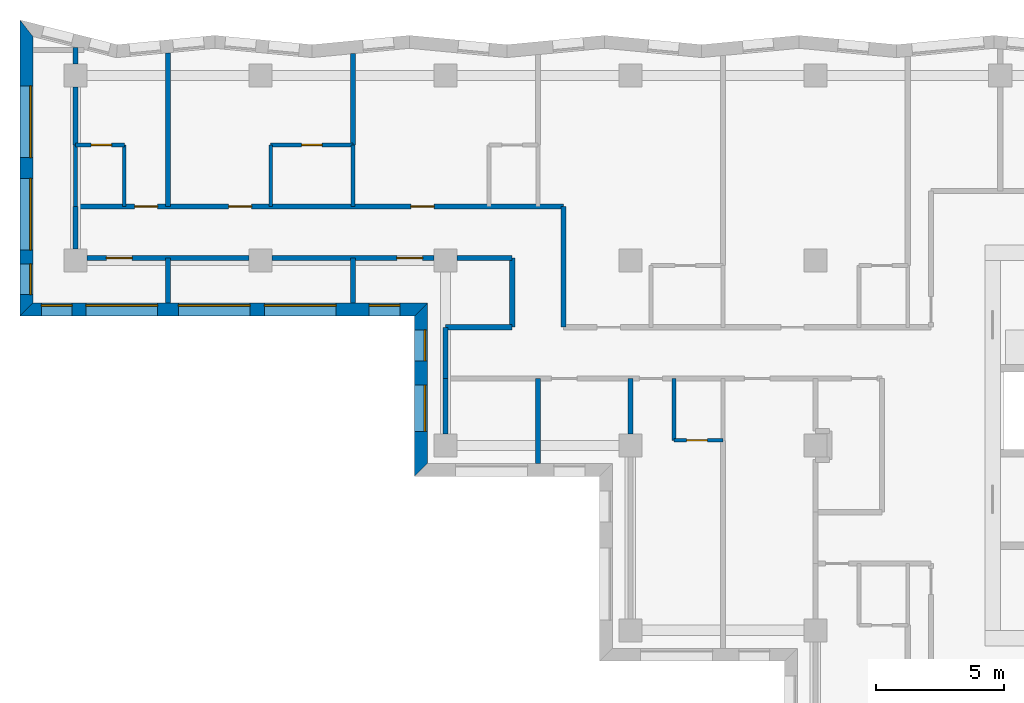
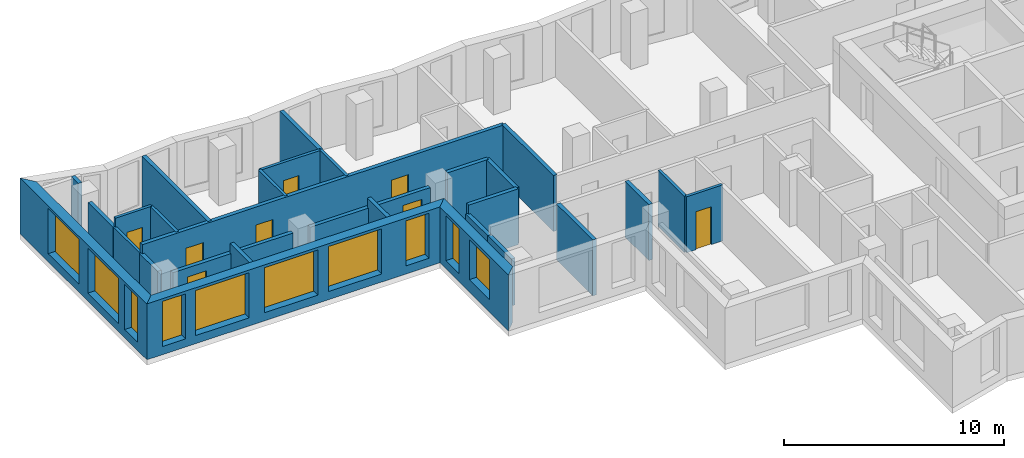
# One storey, part 4 of 12: 29 walls, 10 windows, 8 doors, 18 openings.
"""IFC4 building model written with IfcOpenShell, lengths in metres."""

from ifc_helpers import new_model, si_unit, direction, frame, frame_2d, origin, place, context, subcontext, project, spatial, polyline, rectangle, outline, extrude, material, layer, layer_set, type_object, element, fill, save


model = new_model("IFC4")

# Units and contexts
model_context = context("Model", 3, precision=1e-05, world=origin(), true_north=direction((0.0, 1.0)))
body_context = subcontext(model_context, "Body", "Model", "MODEL_VIEW")
ifc_project = project(units=[si_unit("LENGTHUNIT", "METRE"), si_unit("AREAUNIT", "SQUARE_METRE"), si_unit("VOLUMEUNIT", "CUBIC_METRE"), si_unit("PLANEANGLEUNIT", "RADIAN"), si_unit("MASSUNIT", "GRAM", prefix="KILO")], contexts=[model_context])

# Site, building, storey
site_placement = place(None, origin())
site = spatial("IfcSite", under=ifc_project, at=site_placement, CompositionType="ELEMENT")
building_placement = place(site_placement, origin())
building = spatial("IfcBuilding", under=site, at=building_placement, Name="Windrow Commons", CompositionType="ELEMENT")
storey_placement = place(building_placement, frame((0.0, 0.0, 142.2)))
storey = spatial("IfcBuildingStorey", under=building, at=storey_placement, Name="L38", CompositionType="ELEMENT", Elevation=142.2)

# Wall, openings, windows
ifc_material_1 = material(Name="Brick masonry, red clay brick", Category="masonry")
ifc_layer_1 = layer(ifc_material_1, 0.5)
ifc_layer_set_1 = layer_set([ifc_layer_1], Name="Brick facade wall 500")
wall_type_1 = type_object("IfcWallType", Name="Brick facade wall 500", PredefinedType="SOLIDWALL", material=ifc_layer_set_1)
wall_1_placement = place(storey_placement, frame((19.689, 73.8397, 0.0), z_axis=(0.0, 0.0, 1.0), x_axis=(0.0, -1.0, 0.0)))
wall_1 = element("IfcWall", 1, at=wall_1_placement, inside=storey, type_object=wall_type_1, Name="Brick facade wall L38 35", PredefinedType="SOLIDWALL", context=body_context, shape_type="SweptSolid", body=[
    extrude(outline(polyline([(-0.3213, -0.25), (11.2007, -0.25), (10.7007, 0.25), (0.3213, 0.25), (-0.3213, -0.25)])), origin(), (0.0, 0.0, 1.0), 3.1),
])
opening_1_placement = place(wall_1_placement, frame((2.2397, 0.0, 0.45)))
opening_1 = element("IfcOpeningElement", 2, at=opening_1_placement, cuts=wall_1, Name="Opening W1U", PredefinedType="OPENING", context=body_context, shape_type="SweptSolid", body=[
    extrude(rectangle(XDim=2.8, YDim=2.5, at=frame_2d((1.4, 1.25))), frame((0.0, 0.26, 0.0), z_axis=(0.0, -1.0, 0.0), x_axis=(1.0, 0.0, 0.0)), (0.0, 0.0, 1.0), 0.52),
])
opening_2_placement = place(wall_1_placement, frame((5.8397, 0.0, 0.45)))
opening_2 = element("IfcOpeningElement", 3, at=opening_2_placement, cuts=wall_1, Name="Opening W1U", PredefinedType="OPENING", context=body_context, shape_type="SweptSolid", body=[
    extrude(rectangle(XDim=2.8, YDim=2.5, at=frame_2d((1.4, 1.25))), frame((0.0, 0.26, 0.0), z_axis=(0.0, -1.0, 0.0), x_axis=(1.0, 0.0, 0.0)), (0.0, 0.0, 1.0), 0.52),
])
opening_3_placement = place(wall_1_placement, frame((9.1702, 0.0, 0.45)))
opening_3 = element("IfcOpeningElement", 4, at=opening_3_placement, cuts=wall_1, Name="Opening W7E", PredefinedType="OPENING", context=body_context, shape_type="SweptSolid", body=[
    extrude(rectangle(XDim=1.2, YDim=2.5, at=frame_2d((0.6, 1.25))), frame((0.0, 0.26, 0.0), z_axis=(0.0, -1.0, 0.0), x_axis=(1.0, 0.0, 0.0)), (0.0, 0.0, 1.0), 0.52),
])
ifc_material_2 = material(Name="Clear float glass in anodised aluminium frame", Category="aluminium")
window_type_1 = type_object("IfcWindowType", Name="Window W1U bedroom 2800x2500", PartitioningType="SINGLE_PANEL", PredefinedType="WINDOW", material=ifc_material_2)
window_1_placement = place(opening_1_placement, origin())
window_1 = element("IfcWindow", 5, at=window_1_placement, inside=storey, type_object=window_type_1, Name="Window L38 35.1", OverallHeight=2.5, OverallWidth=2.8, PartitioningType="SINGLE_PANEL", PredefinedType="WINDOW", context=body_context, shape_type="SweptSolid", body=[
    extrude(rectangle(XDim=2.8, YDim=2.5, at=frame_2d((1.4, 1.25))), frame((0.0, 0.18, 0.0), z_axis=(0.0, -1.0, 0.0), x_axis=(1.0, 0.0, 0.0)), (0.0, 0.0, 1.0), 0.06),
])
fill(opening_1, window_1)
window_2_placement = place(opening_2_placement, origin())
window_2 = element("IfcWindow", 6, at=window_2_placement, inside=storey, type_object=window_type_1, Name="Window L38 35.2", OverallHeight=2.5, OverallWidth=2.8, PartitioningType="SINGLE_PANEL", PredefinedType="WINDOW", context=body_context, shape_type="SweptSolid", body=[
    extrude(rectangle(XDim=2.8, YDim=2.5, at=frame_2d((1.4, 1.25))), frame((0.0, 0.18, 0.0), z_axis=(0.0, -1.0, 0.0), x_axis=(1.0, 0.0, 0.0)), (0.0, 0.0, 1.0), 0.06),
])
fill(opening_2, window_2)
ifc_material_3 = material(Name="Clear float glass in anodised aluminium frame", Category="aluminium")
window_type_2 = type_object("IfcWindowType", Name="Window W7 notch 1200x2500", PartitioningType="SINGLE_PANEL", PredefinedType="WINDOW", material=ifc_material_3)
window_3_placement = place(opening_3_placement, origin())
window_3 = element("IfcWindow", 7, at=window_3_placement, inside=storey, type_object=window_type_2, Name="Window L38 35.3", OverallHeight=2.5, OverallWidth=1.2, PartitioningType="SINGLE_PANEL", PredefinedType="WINDOW", context=body_context, shape_type="SweptSolid", body=[
    extrude(rectangle(XDim=1.2, YDim=2.5, at=frame_2d((0.6, 1.25))), frame((0.0, 0.18, 0.0), z_axis=(0.0, -1.0, 0.0), x_axis=(1.0, 0.0, 0.0)), (0.0, 0.0, 1.0), 0.06),
])
fill(opening_3, window_3)

wall_2_placement = place(storey_placement, frame((19.689, 62.889, 0.0), z_axis=(0.0, 0.0, 1.0), x_axis=(1.0, 0.0, 0.0)))
wall_2 = element("IfcWall", 8, at=wall_2_placement, inside=storey, type_object=wall_type_1, Name="Brick facade wall L38 36", PredefinedType="SOLIDWALL", context=body_context, shape_type="SweptSolid", body=[
    extrude(outline(polyline([(-0.25, -0.25), (15.111, -0.25), (15.611, 0.25), (0.25, 0.25), (-0.25, -0.25)])), origin(), (0.0, 0.0, 1.0), 3.1),
])
opening_4_placement = place(wall_2_placement, frame((2.311, 0.0, 0.45)))
opening_4 = element("IfcOpeningElement", 9, at=opening_4_placement, cuts=wall_2, Name="Opening W1U", PredefinedType="OPENING", context=body_context, shape_type="SweptSolid", body=[
    extrude(rectangle(XDim=2.8, YDim=2.5, at=frame_2d((1.4, 1.25))), frame((0.0, 0.26, 0.0), z_axis=(0.0, -1.0, 0.0), x_axis=(1.0, 0.0, 0.0)), (0.0, 0.0, 1.0), 0.52),
])
opening_5_placement = place(wall_2_placement, frame((5.911, 0.0, 0.45)))
opening_5 = element("IfcOpeningElement", 10, at=opening_5_placement, cuts=wall_2, Name="Opening W1U", PredefinedType="OPENING", context=body_context, shape_type="SweptSolid", body=[
    extrude(rectangle(XDim=2.8, YDim=2.5, at=frame_2d((1.4, 1.25))), frame((0.0, 0.26, 0.0), z_axis=(0.0, -1.0, 0.0), x_axis=(1.0, 0.0, 0.0)), (0.0, 0.0, 1.0), 0.52),
])
opening_6_placement = place(wall_2_placement, frame((9.261, 0.0, 0.45)))
opening_6 = element("IfcOpeningElement", 11, at=opening_6_placement, cuts=wall_2, Name="Opening W1U", PredefinedType="OPENING", context=body_context, shape_type="SweptSolid", body=[
    extrude(rectangle(XDim=2.8, YDim=2.5, at=frame_2d((1.4, 1.25))), frame((0.0, 0.26, 0.0), z_axis=(0.0, -1.0, 0.0), x_axis=(1.0, 0.0, 0.0)), (0.0, 0.0, 1.0), 0.52),
])
opening_7_placement = place(wall_2_placement, frame((0.5805, 0.0, 0.45)))
opening_7 = element("IfcOpeningElement", 12, at=opening_7_placement, cuts=wall_2, Name="Opening W7E", PredefinedType="OPENING", context=body_context, shape_type="SweptSolid", body=[
    extrude(rectangle(XDim=1.2, YDim=2.5, at=frame_2d((0.6, 1.25))), frame((0.0, 0.26, 0.0), z_axis=(0.0, -1.0, 0.0), x_axis=(1.0, 0.0, 0.0)), (0.0, 0.0, 1.0), 0.52),
])
opening_8_placement = place(wall_2_placement, frame((13.336, 0.0, 0.45)))
opening_8 = element("IfcOpeningElement", 13, at=opening_8_placement, cuts=wall_2, Name="Opening W7E", PredefinedType="OPENING", context=body_context, shape_type="SweptSolid", body=[
    extrude(rectangle(XDim=1.2, YDim=2.5, at=frame_2d((0.6, 1.25))), frame((0.0, 0.26, 0.0), z_axis=(0.0, -1.0, 0.0), x_axis=(1.0, 0.0, 0.0)), (0.0, 0.0, 1.0), 0.52),
])
window_4_placement = place(opening_4_placement, origin())
window_4 = element("IfcWindow", 14, at=window_4_placement, inside=storey, type_object=window_type_1, Name="Window L38 36.1", OverallHeight=2.5, OverallWidth=2.8, PartitioningType="SINGLE_PANEL", PredefinedType="WINDOW", context=body_context, shape_type="SweptSolid", body=[
    extrude(rectangle(XDim=2.8, YDim=2.5, at=frame_2d((1.4, 1.25))), frame((0.0, 0.18, 0.0), z_axis=(0.0, -1.0, 0.0), x_axis=(1.0, 0.0, 0.0)), (0.0, 0.0, 1.0), 0.06),
])
fill(opening_4, window_4)
window_5_placement = place(opening_5_placement, origin())
window_5 = element("IfcWindow", 15, at=window_5_placement, inside=storey, type_object=window_type_1, Name="Window L38 36.2", OverallHeight=2.5, OverallWidth=2.8, PartitioningType="SINGLE_PANEL", PredefinedType="WINDOW", context=body_context, shape_type="SweptSolid", body=[
    extrude(rectangle(XDim=2.8, YDim=2.5, at=frame_2d((1.4, 1.25))), frame((0.0, 0.18, 0.0), z_axis=(0.0, -1.0, 0.0), x_axis=(1.0, 0.0, 0.0)), (0.0, 0.0, 1.0), 0.06),
])
fill(opening_5, window_5)
window_6_placement = place(opening_6_placement, origin())
window_6 = element("IfcWindow", 16, at=window_6_placement, inside=storey, type_object=window_type_1, Name="Window L38 36.3", OverallHeight=2.5, OverallWidth=2.8, PartitioningType="SINGLE_PANEL", PredefinedType="WINDOW", context=body_context, shape_type="SweptSolid", body=[
    extrude(rectangle(XDim=2.8, YDim=2.5, at=frame_2d((1.4, 1.25))), frame((0.0, 0.18, 0.0), z_axis=(0.0, -1.0, 0.0), x_axis=(1.0, 0.0, 0.0)), (0.0, 0.0, 1.0), 0.06),
])
fill(opening_6, window_6)
window_7_placement = place(opening_7_placement, origin())
window_7 = element("IfcWindow", 17, at=window_7_placement, inside=storey, type_object=window_type_2, Name="Window L38 36.4", OverallHeight=2.5, OverallWidth=1.2, PartitioningType="SINGLE_PANEL", PredefinedType="WINDOW", context=body_context, shape_type="SweptSolid", body=[
    extrude(rectangle(XDim=1.2, YDim=2.5, at=frame_2d((0.6, 1.25))), frame((0.0, 0.18, 0.0), z_axis=(0.0, -1.0, 0.0), x_axis=(1.0, 0.0, 0.0)), (0.0, 0.0, 1.0), 0.06),
])
fill(opening_7, window_7)
window_8_placement = place(opening_8_placement, origin())
window_8 = element("IfcWindow", 18, at=window_8_placement, inside=storey, type_object=window_type_2, Name="Window L38 36.5", OverallHeight=2.5, OverallWidth=1.2, PartitioningType="SINGLE_PANEL", PredefinedType="WINDOW", context=body_context, shape_type="SweptSolid", body=[
    extrude(rectangle(XDim=1.2, YDim=2.5, at=frame_2d((0.6, 1.25))), frame((0.0, 0.18, 0.0), z_axis=(0.0, -1.0, 0.0), x_axis=(1.0, 0.0, 0.0)), (0.0, 0.0, 1.0), 0.06),
])
fill(opening_8, window_8)

wall_3_placement = place(storey_placement, frame((35.05, 62.889, 0.0), z_axis=(0.0, 0.0, 1.0), x_axis=(0.0, -1.0, 0.0)))
wall_3 = element("IfcWall", 19, at=wall_3_placement, inside=storey, type_object=wall_type_1, Name="Brick facade wall L38 37", PredefinedType="SOLIDWALL", context=body_context, shape_type="SweptSolid", body=[
    extrude(outline(polyline([(0.25, -0.25), (6.489, -0.25), (5.989, 0.25), (-0.25, 0.25), (0.25, -0.25)])), origin(), (0.0, 0.0, 1.0), 3.1),
])
opening_9_placement = place(wall_3_placement, frame((0.7945, 0.0, 0.45)))
opening_9 = element("IfcOpeningElement", 20, at=opening_9_placement, cuts=wall_3, Name="Opening W7E", PredefinedType="OPENING", context=body_context, shape_type="SweptSolid", body=[
    extrude(rectangle(XDim=1.2, YDim=2.5, at=frame_2d((0.6, 1.25))), frame((0.0, 0.26, 0.0), z_axis=(0.0, -1.0, 0.0), x_axis=(1.0, 0.0, 0.0)), (0.0, 0.0, 1.0), 0.52),
])
opening_10_placement = place(wall_3_placement, frame((2.939, 0.0, 0.7)))
opening_10 = element("IfcOpeningElement", 21, at=opening_10_placement, cuts=wall_3, Name="Opening W6", PredefinedType="OPENING", context=body_context, shape_type="SweptSolid", body=[
    extrude(rectangle(XDim=1.8, YDim=2.2, at=frame_2d((0.9, 1.1))), frame((0.0, 0.26, 0.0), z_axis=(0.0, -1.0, 0.0), x_axis=(1.0, 0.0, 0.0)), (0.0, 0.0, 1.0), 0.52),
])
ifc_material_4 = material(Name="Clear float glass in anodised aluminium frame", Category="aluminium")
window_type_3 = type_object("IfcWindowType", Name="Window W6 crown 1800x2200", PartitioningType="SINGLE_PANEL", PredefinedType="WINDOW", material=ifc_material_4)
window_9_placement = place(opening_10_placement, origin())
window_9 = element("IfcWindow", 22, at=window_9_placement, inside=storey, type_object=window_type_3, Name="Window L38 37.1A", OverallHeight=2.2, OverallWidth=1.8, PartitioningType="SINGLE_PANEL", PredefinedType="WINDOW", context=body_context, shape_type="SweptSolid", body=[
    extrude(rectangle(XDim=1.8, YDim=2.2, at=frame_2d((0.9, 1.1))), frame((0.0, 0.18, 0.0), z_axis=(0.0, -1.0, 0.0), x_axis=(1.0, 0.0, 0.0)), (0.0, 0.0, 1.0), 0.06),
])
fill(opening_10, window_9)
window_10_placement = place(opening_9_placement, origin())
window_10 = element("IfcWindow", 23, at=window_10_placement, inside=storey, type_object=window_type_2, Name="Window L38 37.2", OverallHeight=2.5, OverallWidth=1.2, PartitioningType="SINGLE_PANEL", PredefinedType="WINDOW", context=body_context, shape_type="SweptSolid", body=[
    extrude(rectangle(XDim=1.2, YDim=2.5, at=frame_2d((0.6, 1.25))), frame((0.0, 0.18, 0.0), z_axis=(0.0, -1.0, 0.0), x_axis=(1.0, 0.0, 0.0)), (0.0, 0.0, 1.0), 0.06),
])
fill(opening_9, window_10)

# Wall, openings, doors
ifc_material_5 = material(Name="Blockwork partition", Category="masonry")
ifc_layer_2 = layer(ifc_material_5, 0.2)
ifc_layer_set_2 = layer_set([ifc_layer_2], Name="IW-CORRIDOR-200")
wall_type_2 = type_object("IfcWallType", Name="IW-CORRIDOR-200", PredefinedType="PARTITIONING", material=ifc_layer_set_2)
wall_4_placement = place(storey_placement, frame((21.6, 66.9, 0.0), z_axis=(0.0, 0.0, 1.0), x_axis=(1.0, 0.0, 0.0)))
wall_4 = element("IfcWall", 24, at=wall_4_placement, inside=storey, type_object=wall_type_2, Name="W-L38-W002", PredefinedType="PARTITIONING", context=body_context, shape_type="SweptSolid", body=[
    extrude(rectangle(XDim=19.0, YDim=0.2, at=frame_2d((9.5, 0.0))), origin(), (0.0, 0.0, 1.0), 3.1),
])
opening_11_placement = place(wall_4_placement, frame((2.3, 0.0, 0.0)))
opening_11 = element("IfcOpeningElement", 25, at=opening_11_placement, cuts=wall_4, Name="Opening D109S", PredefinedType="OPENING", context=body_context, shape_type="SweptSolid", body=[
    extrude(rectangle(XDim=0.9, YDim=2.1, at=frame_2d((0.45, 1.05))), frame((0.0, 0.11, 0.0), z_axis=(0.0, -1.0, 0.0), x_axis=(1.0, 0.0, 0.0)), (0.0, 0.0, 1.0), 0.22),
])
opening_12_placement = place(wall_4_placement, frame((5.957, 0.0, 0.0)))
opening_12 = element("IfcOpeningElement", 26, at=opening_12_placement, cuts=wall_4, Name="Opening D109F", PredefinedType="OPENING", context=body_context, shape_type="SweptSolid", body=[
    extrude(rectangle(XDim=0.9, YDim=2.1, at=frame_2d((0.45, 1.05))), frame((0.0, 0.11, 0.0), z_axis=(0.0, -1.0, 0.0), x_axis=(1.0, 0.0, 0.0)), (0.0, 0.0, 1.0), 0.22),
])
opening_13_placement = place(wall_4_placement, frame((13.0566, 0.0, 0.0)))
opening_13 = element("IfcOpeningElement", 27, at=opening_13_placement, cuts=wall_4, Name="Opening D109F", PredefinedType="OPENING", context=body_context, shape_type="SweptSolid", body=[
    extrude(rectangle(XDim=0.9, YDim=2.1, at=frame_2d((0.45, 1.05))), frame((0.0, 0.11, 0.0), z_axis=(0.0, -1.0, 0.0), x_axis=(1.0, 0.0, 0.0)), (0.0, 0.0, 1.0), 0.22),
])
ifc_material_6 = material(Name="Timber door leaf", Category="wood")
door_type_1 = type_object("IfcDoorType", Name="DT-BEDROOM-900", OperationType="SINGLE_SWING_LEFT", PredefinedType="DOOR", material=ifc_material_6)
door_1_placement = place(opening_11_placement, origin())
door_1 = element("IfcDoor", 28, at=door_1_placement, inside=storey, type_object=door_type_1, Name="D-L38-D003", OperationType="SINGLE_SWING_RIGHT", OverallHeight=2.1, OverallWidth=0.9, PredefinedType="DOOR", context=body_context, shape_type="SweptSolid", body=[
    extrude(rectangle(XDim=0.9, YDim=2.1, at=frame_2d((0.45, 1.05))), frame((0.0, 0.025, 0.0), z_axis=(0.0, -1.0, 0.0), x_axis=(1.0, 0.0, 0.0)), (0.0, 0.0, 1.0), 0.05),
])
fill(opening_11, door_1)
door_2_placement = place(opening_12_placement, origin())
door_2 = element("IfcDoor", 29, at=door_2_placement, inside=storey, type_object=door_type_1, Name="D-L38-D005", OperationType="SINGLE_SWING_LEFT", OverallHeight=2.1, OverallWidth=0.9, PredefinedType="DOOR", context=body_context, shape_type="SweptSolid", body=[
    extrude(rectangle(XDim=0.9, YDim=2.1, at=frame_2d((0.45, 1.05))), frame((0.0, 0.025, 0.0), z_axis=(0.0, -1.0, 0.0), x_axis=(1.0, 0.0, 0.0)), (0.0, 0.0, 1.0), 0.05),
])
fill(opening_12, door_2)
door_3_placement = place(opening_13_placement, origin())
door_3 = element("IfcDoor", 30, at=door_3_placement, inside=storey, type_object=door_type_1, Name="D-L38-D007", OperationType="SINGLE_SWING_LEFT", OverallHeight=2.1, OverallWidth=0.9, PredefinedType="DOOR", context=body_context, shape_type="SweptSolid", body=[
    extrude(rectangle(XDim=0.9, YDim=2.1, at=frame_2d((0.45, 1.05))), frame((0.0, 0.025, 0.0), z_axis=(0.0, -1.0, 0.0), x_axis=(1.0, 0.0, 0.0)), (0.0, 0.0, 1.0), 0.05),
])
fill(opening_13, door_3)

# Wall, opening, door
wall_5_placement = place(storey_placement, frame((22.05, 64.9, 0.0), z_axis=(0.0, 0.0, 1.0), x_axis=(1.0, 0.0, 0.0)))
wall_5 = element("IfcWall", 31, at=wall_5_placement, inside=storey, type_object=wall_type_2, Name="W-L38-W021", PredefinedType="PARTITIONING", context=body_context, shape_type="SweptSolid", body=[
    extrude(rectangle(XDim=6.3, YDim=0.2, at=frame_2d((3.15, 0.0))), origin(), (0.0, 0.0, 1.0), 2.6),
])
opening_14_placement = place(wall_5_placement, frame((0.7533, 0.0, 0.0)))
opening_14 = element("IfcOpeningElement", 32, at=opening_14_placement, cuts=wall_5, Name="Opening D310F", PredefinedType="OPENING", context=body_context, shape_type="SweptSolid", body=[
    extrude(rectangle(XDim=1.0, YDim=2.1, at=frame_2d((0.5, 1.05))), frame((0.0, 0.11, 0.0), z_axis=(0.0, -1.0, 0.0), x_axis=(1.0, 0.0, 0.0)), (0.0, 0.0, 1.0), 0.22),
])
ifc_material_7 = material(Name="Timber door leaf", Category="wood")
door_type_2 = type_object("IfcDoorType", Name="DT-AMENITY-1000", OperationType="SINGLE_SWING_LEFT", PredefinedType="DOOR", material=ifc_material_7)
door_4_placement = place(opening_14_placement, origin())
door_4 = element("IfcDoor", 33, at=door_4_placement, inside=storey, type_object=door_type_2, Name="D-L38-D002", OperationType="SINGLE_SWING_RIGHT", OverallHeight=2.1, OverallWidth=1.0, PredefinedType="DOOR", context=body_context, shape_type="SweptSolid", body=[
    extrude(rectangle(XDim=1.0, YDim=2.1, at=frame_2d((0.5, 1.05))), frame((0.0, 0.025, 0.0), z_axis=(0.0, -1.0, 0.0), x_axis=(1.0, 0.0, 0.0)), (0.0, 0.0, 1.0), 0.05),
])
fill(opening_14, door_4)

wall_6_placement = place(storey_placement, frame((29.25, 64.9, 0.0), z_axis=(0.0, 0.0, 1.0), x_axis=(1.0, 0.0, 0.0)))
wall_6 = element("IfcWall", 34, at=wall_6_placement, inside=storey, type_object=wall_type_2, Name="W-L38-W022", PredefinedType="PARTITIONING", context=body_context, shape_type="SweptSolid", body=[
    extrude(rectangle(XDim=6.3, YDim=0.2, at=frame_2d((3.15, 0.0))), origin(), (0.0, 0.0, 1.0), 2.6),
])
opening_15_placement = place(wall_6_placement, frame((4.8599, 0.0, 0.0)))
opening_15 = element("IfcOpeningElement", 35, at=opening_15_placement, cuts=wall_6, Name="Opening D310F", PredefinedType="OPENING", context=body_context, shape_type="SweptSolid", body=[
    extrude(rectangle(XDim=1.0, YDim=2.1, at=frame_2d((0.5, 1.05))), frame((0.0, 0.11, 0.0), z_axis=(0.0, -1.0, 0.0), x_axis=(1.0, 0.0, 0.0)), (0.0, 0.0, 1.0), 0.22),
])
door_5_placement = place(opening_15_placement, origin())
door_5 = element("IfcDoor", 36, at=door_5_placement, inside=storey, type_object=door_type_2, Name="D-L38-D010", OperationType="SINGLE_SWING_RIGHT", OverallHeight=2.1, OverallWidth=1.0, PredefinedType="DOOR", context=body_context, shape_type="SweptSolid", body=[
    extrude(rectangle(XDim=1.0, YDim=2.1, at=frame_2d((0.5, 1.05))), frame((0.0, 0.025, 0.0), z_axis=(0.0, -1.0, 0.0), x_axis=(1.0, 0.0, 0.0)), (0.0, 0.0, 1.0), 0.05),
])
fill(opening_15, door_5)

# Walls
wall_7_placement = place(storey_placement, frame((40.6, 62.202, 0.0), z_axis=(0.0, 0.0, 1.0), x_axis=(0.0, 1.0, 0.0)))
element("IfcWall", 37, at=wall_7_placement, inside=storey, type_object=wall_type_2, Name="W-L38-W037", PredefinedType="PARTITIONING", context=body_context, shape_type="SweptSolid", body=[
    extrude(rectangle(XDim=4.696, YDim=0.2, at=frame_2d((2.348, 0.0))), origin(), (0.0, 0.0, 1.0), 3.1),
])
wall_8_placement = place(storey_placement, frame((38.6, 62.202, 0.0), z_axis=(0.0, 0.0, 1.0), x_axis=(0.0, 1.0, 0.0)))
element("IfcWall", 38, at=wall_8_placement, inside=storey, type_object=wall_type_2, Name="W-L38-W056", PredefinedType="PARTITIONING", context=body_context, shape_type="SweptSolid", body=[
    extrude(rectangle(XDim=2.698, YDim=0.2, at=frame_2d((1.349, 0.0))), origin(), (0.0, 0.0, 1.0), 3.1),
])
wall_9_placement = place(storey_placement, frame((36.002, 62.2, 0.0), z_axis=(0.0, 0.0, 1.0), x_axis=(1.0, 0.0, 0.0)))
element("IfcWall", 39, at=wall_9_placement, inside=storey, type_object=wall_type_2, Name="W-L38-W060", PredefinedType="PARTITIONING", context=body_context, shape_type="SweptSolid", body=[
    extrude(rectangle(XDim=2.598, YDim=0.2, at=frame_2d((1.299, 0.0))), origin(), (0.0, 0.0, 1.0), 3.1),
])
wall_10_placement = place(storey_placement, frame((36.45, 64.9, 0.0), z_axis=(0.0, 0.0, 1.0), x_axis=(1.0, 0.0, 0.0)))
element("IfcWall", 40, at=wall_10_placement, inside=storey, type_object=wall_type_2, Name="W-L38-W099", PredefinedType="PARTITIONING", context=body_context, shape_type="SweptSolid", body=[
    extrude(rectangle(XDim=2.15, YDim=0.2, at=frame_2d((1.075, 0.0))), origin(), (0.0, 0.0, 1.0), 3.1),
])
wall_11_placement = place(storey_placement, frame((36.0, 60.2, 0.0), z_axis=(0.0, 0.0, 1.0), x_axis=(0.0, 1.0, 0.0)))
element("IfcWall", 41, at=wall_11_placement, inside=storey, type_object=wall_type_2, Name="W-L38-W109", PredefinedType="PARTITIONING", context=body_context, shape_type="SweptSolid", body=[
    extrude(rectangle(XDim=2.0, YDim=0.2, at=frame_2d((1.0, 0.0))), origin(), (0.0, 0.0, 1.0), 2.6),
])
wall_12_placement = place(storey_placement, frame((21.6, 65.25, 0.0), z_axis=(0.0, 0.0, 1.0), x_axis=(0.0, 1.0, 0.0)))
element("IfcWall", 42, at=wall_12_placement, inside=storey, type_object=wall_type_2, Name="W-L38-W137", PredefinedType="PARTITIONING", context=body_context, shape_type="SweptSolid", body=[
    extrude(rectangle(XDim=1.65, YDim=0.2, at=frame_2d((0.825, 0.0))), origin(), (0.0, 0.0, 1.0), 2.6),
])

# Wall, opening, door
ifc_material_8 = material(Name="Blockwork partition", Category="masonry")
ifc_layer_3 = layer(ifc_material_8, 0.15)
ifc_layer_set_3 = layer_set([ifc_layer_3], Name="IW-ENSUITE-150")
wall_type_3 = type_object("IfcWallType", Name="IW-ENSUITE-150", PredefinedType="PARTITIONING", material=ifc_layer_set_3)
wall_13_placement = place(storey_placement, frame((29.2, 69.3, 0.0), z_axis=(0.0, 0.0, 1.0), x_axis=(1.0, 0.0, 0.0)))
wall_13 = element("IfcWall", 43, at=wall_13_placement, inside=storey, type_object=wall_type_3, Name="W-L38-W051", PredefinedType="PARTITIONING", context=body_context, shape_type="SweptSolid", body=[
    extrude(rectangle(XDim=3.2, YDim=0.15, at=frame_2d((1.6, 0.0))), origin(), (0.0, 0.0, 1.0), 3.1),
])
opening_16_placement = place(wall_13_placement, frame((1.2042, 0.0, 0.0)))
opening_16 = element("IfcOpeningElement", 44, at=opening_16_placement, cuts=wall_13, Name="Opening D208N", PredefinedType="OPENING", context=body_context, shape_type="SweptSolid", body=[
    extrude(rectangle(XDim=0.8, YDim=2.1, at=frame_2d((0.4, 1.05))), frame((0.0, 0.085, 0.0), z_axis=(0.0, -1.0, 0.0), x_axis=(1.0, 0.0, 0.0)), (0.0, 0.0, 1.0), 0.17),
])
ifc_material_9 = material(Name="Timber door leaf", Category="wood")
door_type_3 = type_object("IfcDoorType", Name="DT-ENSUITE-800", OperationType="SINGLE_SWING_LEFT", PredefinedType="DOOR", material=ifc_material_9)
door_6_placement = place(opening_16_placement, origin())
door_6 = element("IfcDoor", 45, at=door_6_placement, inside=storey, type_object=door_type_3, Name="D-L38-D006", OperationType="SINGLE_SWING_RIGHT", OverallHeight=2.1, OverallWidth=0.8, PredefinedType="DOOR", context=body_context, shape_type="SweptSolid", body=[
    extrude(rectangle(XDim=0.8, YDim=2.1, at=frame_2d((0.4, 1.05))), frame((0.0, 0.025, 0.0), z_axis=(0.0, -1.0, 0.0), x_axis=(1.0, 0.0, 0.0)), (0.0, 0.0, 1.0), 0.05),
])
fill(opening_16, door_6)

# Walls
wall_14_placement = place(storey_placement, frame((44.9, 57.8, 0.0), z_axis=(0.0, 0.0, 1.0), x_axis=(0.0, 1.0, 0.0)))
element("IfcWall", 46, at=wall_14_placement, inside=storey, type_object=wall_type_3, Name="W-L38-W067", PredefinedType="PARTITIONING", context=body_context, shape_type="SweptSolid", body=[
    extrude(rectangle(XDim=2.4, YDim=0.15, at=frame_2d((1.2, 0.0))), origin(), (0.0, 0.0, 1.0), 3.1),
])
wall_15_placement = place(storey_placement, frame((21.6, 66.9, 0.0), z_axis=(0.0, 0.0, 1.0), x_axis=(0.0, 1.0, 0.0)))
element("IfcWall", 47, at=wall_15_placement, inside=storey, type_object=wall_type_3, Name="W-L38-W078", PredefinedType="PARTITIONING", context=body_context, shape_type="SweptSolid", body=[
    extrude(rectangle(XDim=2.4, YDim=0.15, at=frame_2d((1.2, 0.0))), origin(), (0.0, 0.0, 1.0), 2.6),
])
for number, where, z_axis, x_axis, name in (
    (48, (23.5, 66.9, 0.0), (0.0, 0.0, 1.0), (0.0, 1.0, 0.0), "W-L38-W079"),
    (49, (29.2, 66.9, 0.0), (0.0, 0.0, 1.0), (0.0, 1.0, 0.0), "W-L38-W080"),
    (50, (32.4, 66.9, 0.0), (0.0, 0.0, 1.0), (0.0, 1.0, 0.0), "W-L38-W081"),
):
    element("IfcWall", number, at=place(storey_placement, frame(where, z_axis=z_axis, x_axis=x_axis)), inside=storey, type_object=wall_type_3, Name=name, PredefinedType="PARTITIONING", context=body_context, shape_type="SweptSolid", body=[
        extrude(rectangle(XDim=2.4, YDim=0.15, at=frame_2d((1.2, 0.0))), origin(), (0.0, 0.0, 1.0), 3.1),
    ])

# Wall, opening, door
wall_16_placement = place(storey_placement, frame((21.6, 69.3, 0.0), z_axis=(0.0, 0.0, 1.0), x_axis=(1.0, 0.0, 0.0)))
wall_16 = element("IfcWall", 51, at=wall_16_placement, inside=storey, type_object=wall_type_3, Name="W-L38-W122", PredefinedType="PARTITIONING", context=body_context, shape_type="SweptSolid", body=[
    extrude(rectangle(XDim=1.9, YDim=0.15, at=frame_2d((0.95, 0.0))), origin(), (0.0, 0.0, 1.0), 3.1),
])
opening_17_placement = place(wall_16_placement, frame((0.6069, 0.0, 0.0)))
opening_17 = element("IfcOpeningElement", 52, at=opening_17_placement, cuts=wall_16, Name="Opening D208N", PredefinedType="OPENING", context=body_context, shape_type="SweptSolid", body=[
    extrude(rectangle(XDim=0.8, YDim=2.1, at=frame_2d((0.4, 1.05))), frame((0.0, 0.085, 0.0), z_axis=(0.0, -1.0, 0.0), x_axis=(1.0, 0.0, 0.0)), (0.0, 0.0, 1.0), 0.17),
])
door_7_placement = place(opening_17_placement, origin())
door_7 = element("IfcDoor", 53, at=door_7_placement, inside=storey, type_object=door_type_3, Name="D-L38-D004", OperationType="SINGLE_SWING_RIGHT", OverallHeight=2.1, OverallWidth=0.8, PredefinedType="DOOR", context=body_context, shape_type="SweptSolid", body=[
    extrude(rectangle(XDim=0.8, YDim=2.1, at=frame_2d((0.4, 1.05))), frame((0.0, 0.025, 0.0), z_axis=(0.0, -1.0, 0.0), x_axis=(1.0, 0.0, 0.0)), (0.0, 0.0, 1.0), 0.05),
])
fill(opening_17, door_7)

wall_17_placement = place(storey_placement, frame((44.9, 57.8, 0.0), z_axis=(0.0, 0.0, 1.0), x_axis=(1.0, 0.0, 0.0)))
wall_17 = element("IfcWall", 54, at=wall_17_placement, inside=storey, type_object=wall_type_3, Name="W-L38-W125", PredefinedType="PARTITIONING", context=body_context, shape_type="SweptSolid", body=[
    extrude(rectangle(XDim=1.9, YDim=0.15, at=frame_2d((0.95, 0.0))), origin(), (0.0, 0.0, 1.0), 3.1),
])
opening_18_placement = place(wall_17_placement, frame((0.4931, 0.0, 0.0)))
opening_18 = element("IfcOpeningElement", 55, at=opening_18_placement, cuts=wall_17, Name="Opening D208N", PredefinedType="OPENING", context=body_context, shape_type="SweptSolid", body=[
    extrude(rectangle(XDim=0.8, YDim=2.1, at=frame_2d((0.4, 1.05))), frame((0.0, 0.085, 0.0), z_axis=(0.0, -1.0, 0.0), x_axis=(1.0, 0.0, 0.0)), (0.0, 0.0, 1.0), 0.17),
])
door_8_placement = place(opening_18_placement, origin())
door_8 = element("IfcDoor", 56, at=door_8_placement, inside=storey, type_object=door_type_3, Name="D-L38-D014", OperationType="SINGLE_SWING_RIGHT", OverallHeight=2.1, OverallWidth=0.8, PredefinedType="DOOR", context=body_context, shape_type="SweptSolid", body=[
    extrude(rectangle(XDim=0.8, YDim=2.1, at=frame_2d((0.4, 1.05))), frame((0.0, 0.025, 0.0), z_axis=(0.0, -1.0, 0.0), x_axis=(1.0, 0.0, 0.0)), (0.0, 0.0, 1.0), 0.05),
])
fill(opening_18, door_8)

# Walls
ifc_material_10 = material(Name="Blockwork partition", Category="masonry")
ifc_layer_4 = layer(ifc_material_10, 0.2)
ifc_layer_set_4 = layer_set([ifc_layer_4], Name="IW-PARTY-200")
wall_type_4 = type_object("IfcWallType", Name="IW-PARTY-200", PredefinedType="PARTITIONING", material=ifc_layer_set_4)
wall_18_placement = place(storey_placement, frame((25.2, 66.9, 0.0), z_axis=(0.0, 0.0, 1.0), x_axis=(0.0, 1.0, 0.0)))
element("IfcWall", 57, at=wall_18_placement, inside=storey, type_object=wall_type_4, Name="W-L38-W025", PredefinedType="PARTITIONING", context=body_context, shape_type="SweptSolid", body=[
    extrude(rectangle(XDim=5.9853, YDim=0.2, at=frame_2d((2.9926, 0.0))), origin(), (0.0, 0.0, 1.0), 3.1),
])
wall_19_placement = place(storey_placement, frame((32.4, 69.3, 0.0), z_axis=(0.0, 0.0, 1.0), x_axis=(0.0, 1.0, 0.0)))
element("IfcWall", 58, at=wall_19_placement, inside=storey, type_object=wall_type_4, Name="W-L38-W047", PredefinedType="PARTITIONING", context=body_context, shape_type="SweptSolid", body=[
    extrude(rectangle(XDim=3.549, YDim=0.2, at=frame_2d((1.7745, 0.0))), origin(), (0.0, 0.0, 1.0), 3.1),
])
wall_20_placement = place(storey_placement, frame((39.6, 56.9, 0.0), z_axis=(0.0, 0.0, 1.0), x_axis=(0.0, 1.0, 0.0)))
element("IfcWall", 59, at=wall_20_placement, inside=storey, type_object=wall_type_4, Name="W-L38-W050", PredefinedType="PARTITIONING", context=body_context, shape_type="SweptSolid", body=[
    extrude(rectangle(XDim=3.3, YDim=0.2, at=frame_2d((1.65, 0.0))), origin(), (0.0, 0.0, 1.0), 3.1),
])
wall_21_placement = place(storey_placement, frame((21.6, 69.3, 0.0), z_axis=(0.0, 0.0, 1.0), x_axis=(0.0, 1.0, 0.0)))
element("IfcWall", 60, at=wall_21_placement, inside=storey, type_object=wall_type_4, Name="W-L38-W096", PredefinedType="PARTITIONING", context=body_context, shape_type="SweptSolid", body=[
    extrude(rectangle(XDim=2.25, YDim=0.2, at=frame_2d((1.125, 0.0))), origin(), (0.0, 0.0, 1.0), 2.6),
])
wall_22_placement = place(storey_placement, frame((36.0, 58.05, 0.0), z_axis=(0.0, 0.0, 1.0), x_axis=(0.0, 1.0, 0.0)))
element("IfcWall", 61, at=wall_22_placement, inside=storey, type_object=wall_type_4, Name="W-L38-W097", PredefinedType="PARTITIONING", context=body_context, shape_type="SweptSolid", body=[
    extrude(rectangle(XDim=2.15, YDim=0.2, at=frame_2d((1.075, 0.0))), origin(), (0.0, 0.0, 1.0), 2.6),
])
wall_23_placement = place(storey_placement, frame((43.2, 58.05, 0.0), z_axis=(0.0, 0.0, 1.0), x_axis=(0.0, 1.0, 0.0)))
element("IfcWall", 62, at=wall_23_placement, inside=storey, type_object=wall_type_4, Name="W-L38-W098", PredefinedType="PARTITIONING", context=body_context, shape_type="SweptSolid", body=[
    extrude(rectangle(XDim=2.15, YDim=0.2, at=frame_2d((1.075, 0.0))), origin(), (0.0, 0.0, 1.0), 3.1),
])
for number, where, z_axis, x_axis, name in (
    (63, (25.2, 63.139, 0.0), (0.0, 0.0, 1.0), (0.0, 1.0, 0.0), "W-L38-W133"),
    (64, (32.4, 63.139, 0.0), (0.0, 0.0, 1.0), (0.0, 1.0, 0.0), "W-L38-W134"),
):
    element("IfcWall", number, at=place(storey_placement, frame(where, z_axis=z_axis, x_axis=x_axis)), inside=storey, type_object=wall_type_4, Name=name, PredefinedType="PARTITIONING", context=body_context, shape_type="SweptSolid", body=[
        extrude(rectangle(XDim=1.761, YDim=0.2, at=frame_2d((0.8805, 0.0))), origin(), (0.0, 0.0, 1.0), 3.1),
    ])
wall_24_placement = place(storey_placement, frame((21.6, 72.45, 0.0), z_axis=(0.0, 0.0, 1.0), x_axis=(0.0, 1.0, 0.0)))
element("IfcWall", 65, at=wall_24_placement, inside=storey, type_object=wall_type_4, Name="W-L38-W161", PredefinedType="PARTITIONING", context=body_context, shape_type="SweptSolid", body=[
    extrude(rectangle(XDim=0.6474, YDim=0.2, at=frame_2d((0.3237, 0.0))), origin(), (0.0, 0.0, 1.0), 3.1),
])

save(model, "model.ifc")
